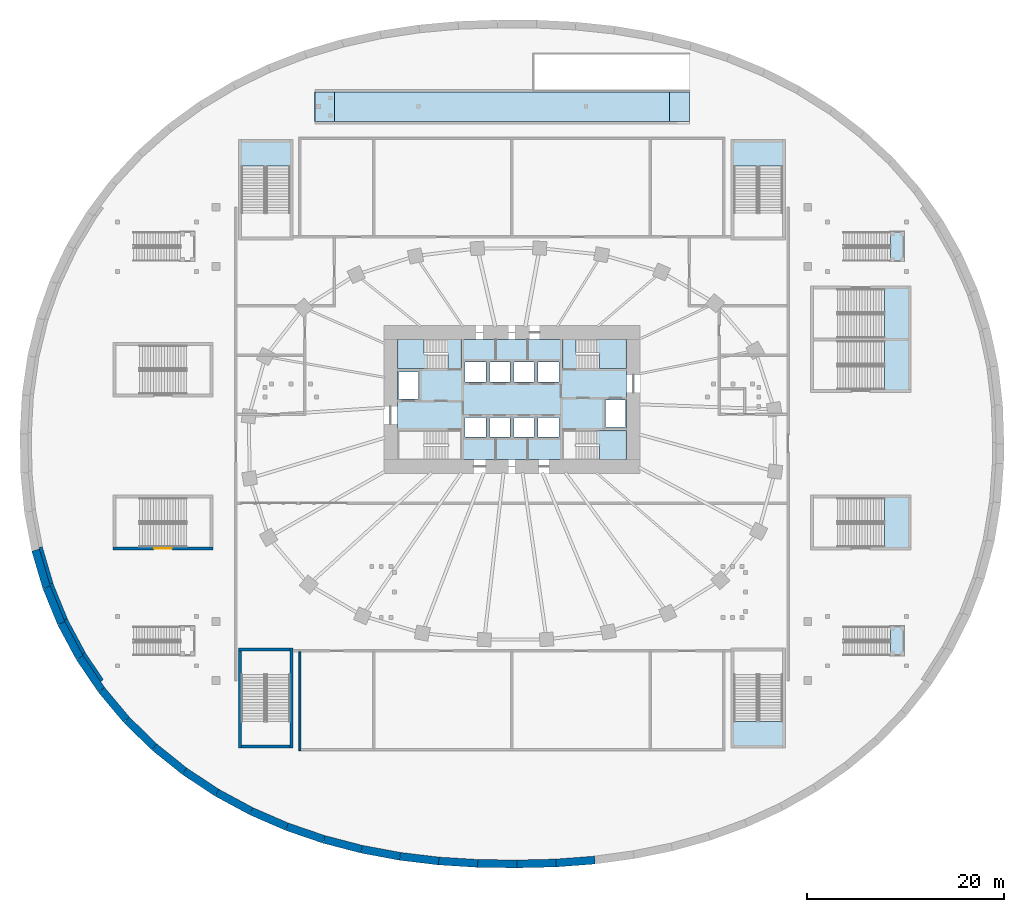
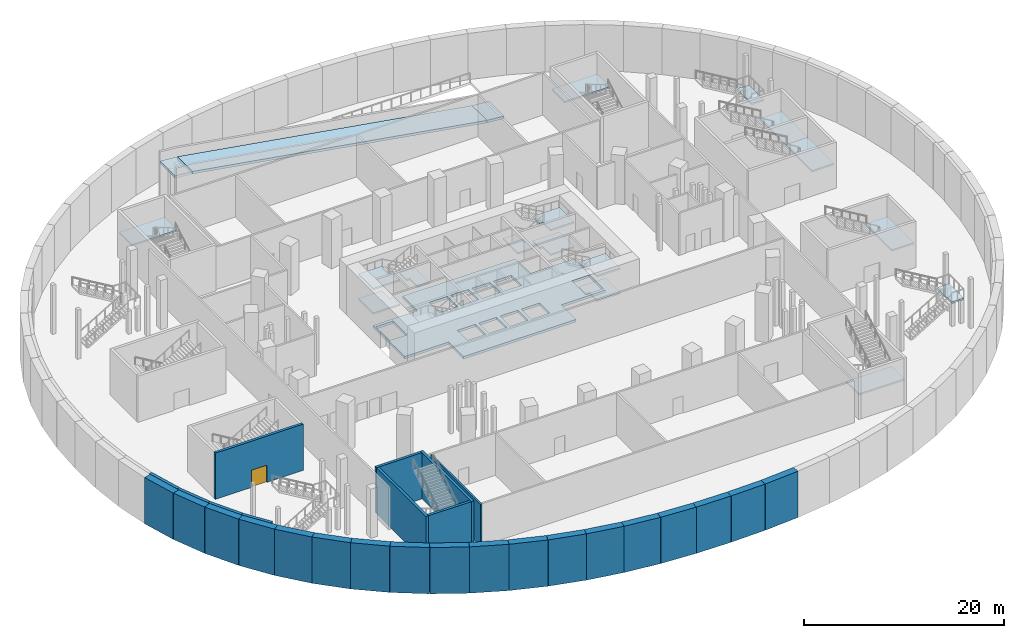
# One storey, part 3 of 19: 28 walls, 20 slabs, 1 door, 1 opening, 11 elements without a shape of their own.
"""IFC4 building model written with IfcOpenShell, lengths in metres."""

from ifc_helpers import new_model, si_unit, direction, frame, frame_2d, origin, place, context, subcontext, project, spatial, polyline, rectangle, outline, extrude, material, layer, layer_set, type_object, element, fill, aggregate, save


model = new_model("IFC4")

# Units and contexts
model_context = context("Model", 3, precision=1e-05, world=origin(), true_north=direction((0.0, 1.0)))
body_context = subcontext(model_context, "Body", "Model", "MODEL_VIEW")
ifc_project = project(units=[si_unit("LENGTHUNIT", "METRE"), si_unit("AREAUNIT", "SQUARE_METRE"), si_unit("VOLUMEUNIT", "CUBIC_METRE"), si_unit("PLANEANGLEUNIT", "RADIAN"), si_unit("MASSUNIT", "GRAM", prefix="KILO")], contexts=[model_context])

# Site, building, storey
site_placement = place(None, origin())
site = spatial("IfcSite", under=ifc_project, at=site_placement, CompositionType="ELEMENT")
building_placement = place(site_placement, origin())
building = spatial("IfcBuilding", under=site, at=building_placement, Name="Rubra Terraces Tower", CompositionType="ELEMENT")
storey_placement = place(building_placement, frame((0.0, 0.0, -6.0)))
storey = spatial("IfcBuildingStorey", under=building, at=storey_placement, Name="B1", CompositionType="ELEMENT", Elevation=-6.0)

# Slab
ifc_material_1 = material(Name="Concrete C40", Category="concrete")
ifc_layer_1 = layer(ifc_material_1, 0.300048828125)
ifc_layer_set_1 = layer_set([ifc_layer_1], Name="Concrete C40")
slab_type_1 = type_object("IfcSlabType", Name="Core floor slab 300 concrete", PredefinedType="FLOOR", material=ifc_layer_set_1)
slab_1_placement = place(storey_placement, frame((0.0, 0.0, -0.300048828125)))
element("IfcSlab", 1, at=slab_1_placement, inside=storey, type_object=slab_type_1, Name="CORE FLOOR SLAB B1", PredefinedType="FLOOR", context=body_context, shape_type="SweptSolid", body=[
    extrude(outline(polyline([(-11.60009765625, 1.347900390625), (-11.60009765625, 7.652099609375), (-6.501953125, 7.652099609375), (-6.501953125, 10.60009765625), (6.501953125, 10.60009765625), (6.501953125, 7.652099609375), (11.60009765625, 7.652099609375), (11.60009765625, 1.347900390625), (6.501953125, 1.347900390625), (6.501953125, -1.60009765625), (-6.501953125, -1.60009765625), (-6.501953125, 1.347900390625), (-11.60009765625, 1.347900390625)]), holes=[polyline([(9.5, 1.699951171875), (11.5, 1.699951171875), (11.5, 4.449951171875), (9.5, 4.449951171875), (9.5, 1.699951171875)]), polyline([(4.75, 0.699951171875), (4.75, 2.699951171875), (2.64990234375, 2.699951171875), (2.64990234375, 0.699951171875), (4.75, 0.699951171875)]), polyline([(4.75, 6.300048828125), (4.75, 8.300048828125), (2.64990234375, 8.300048828125), (2.64990234375, 6.300048828125), (4.75, 6.300048828125)]), polyline([(2.25, 0.699951171875), (2.25, 2.699951171875), (0.199951171875, 2.699951171875), (0.199951171875, 0.699951171875), (2.25, 0.699951171875)]), polyline([(2.25, 6.300048828125), (2.25, 8.300048828125), (0.199951171875, 8.300048828125), (0.199951171875, 6.300048828125), (2.25, 6.300048828125)]), polyline([(-0.199951171875, 0.699951171875), (-0.199951171875, 2.699951171875), (-2.25, 2.699951171875), (-2.25, 0.699951171875), (-0.199951171875, 0.699951171875)]), polyline([(-0.199951171875, 6.300048828125), (-0.199951171875, 8.300048828125), (-2.25, 8.300048828125), (-2.25, 6.300048828125), (-0.199951171875, 6.300048828125)]), polyline([(-2.64990234375, 0.699951171875), (-2.64990234375, 2.699951171875), (-4.75, 2.699951171875), (-4.75, 0.699951171875), (-2.64990234375, 0.699951171875)]), polyline([(-2.64990234375, 8.300048828125), (-4.75, 8.300048828125), (-4.75, 6.300048828125), (-2.64990234375, 6.300048828125), (-2.64990234375, 8.300048828125)]), polyline([(-9.5, 7.300048828125), (-11.5, 7.300048828125), (-11.5, 4.550048828125), (-9.5, 4.550048828125), (-9.5, 7.300048828125)])]), origin(), (0.0, 0.0, 1.0), 0.300048828125),
])

# Stair, slabs
stair_type_1 = type_object("IfcStairType", Name="Core stair 1400", PredefinedType="HALF_TURN_STAIR", material=ifc_material_1)
stair_1_placement = place(storey_placement, origin())
stair_1 = element("IfcStair", 2, at=stair_1_placement, inside=storey, type_object=stair_type_1, Name="B1 Exit stair S2", PredefinedType="HALF_TURN_STAIR")
ifc_layer_2 = layer(ifc_material_1, 0.199951171875)
ifc_layer_set_2 = layer_set([ifc_layer_2], Name="Concrete C40")
slab_type_2 = type_object("IfcSlabType", Name="Core stair landing 200", PredefinedType="LANDING", material=ifc_layer_set_2)
slab_2_placement = place(storey_placement, frame((0.0, 0.0, 1.300048828125)))
slab_2 = element("IfcSlab", 3, at=slab_2_placement, type_object=slab_type_2, Name="S2 landing 1", PredefinedType="LANDING", context=body_context, shape_type="SweptSolid", body=[
    extrude(outline(polyline([(-8.52001953125, 9.050048828125), (-8.52001953125, 7.64990234375), (-8.919921875, 7.64990234375), (-11.60009765625, 7.64990234375), (-11.60009765625, 10.60009765625), (-8.919921875, 10.60009765625), (-8.89990234375, 10.60009765625), (-8.89794921875, 10.60009765625), (-8.89794921875, 9.199951171875), (-8.89990234375, 9.199951171875), (-8.89990234375, 9.050048828125), (-8.52001953125, 9.050048828125)])), origin(), (0.0, 0.0, 1.0), 0.199951171875),
])
slab_3_placement = place(storey_placement, frame((0.0, 0.0, 2.800048828125)))
slab_3 = element("IfcSlab", 4, at=slab_3_placement, type_object=slab_type_2, Name="S2 landing 2", PredefinedType="LANDING", context=body_context, shape_type="SweptSolid", body=[
    extrude(outline(polyline([(-6.5, 9.050048828125), (-6.5, 9.199951171875), (-6.8798828125, 9.199951171875), (-6.8798828125, 10.60009765625), (-6.5, 10.60009765625), (-6.47998046875, 10.60009765625), (-5.10009765625, 10.60009765625), (-5.10009765625, 7.64990234375), (-6.47998046875, 7.64990234375), (-6.501953125, 7.64990234375), (-6.501953125, 9.050048828125), (-6.5, 9.050048828125)])), origin(), (0.0, 0.0, 1.0), 0.199951171875),
])
slab_4_placement = place(storey_placement, frame((0.0, 0.0, 4.300048828125)))
slab_4 = element("IfcSlab", 5, at=slab_4_placement, type_object=slab_type_2, Name="S2 landing 3", PredefinedType="LANDING", context=body_context, shape_type="SweptSolid", body=[
    extrude(outline(polyline([(-8.52001953125, 9.050048828125), (-8.52001953125, 7.64990234375), (-8.919921875, 7.64990234375), (-11.60009765625, 7.64990234375), (-11.60009765625, 10.60009765625), (-8.919921875, 10.60009765625), (-8.89990234375, 10.60009765625), (-8.89794921875, 10.60009765625), (-8.89794921875, 9.199951171875), (-8.89990234375, 9.199951171875), (-8.89990234375, 9.050048828125), (-8.52001953125, 9.050048828125)])), origin(), (0.0, 0.0, 1.0), 0.199951171875),
])
aggregate(stair_1, [slab_2, slab_3, slab_4])

stair_2_placement = place(storey_placement, origin())
stair_2 = element("IfcStair", 6, at=stair_2_placement, inside=storey, type_object=stair_type_1, Name="B1 Exit stair S3", PredefinedType="HALF_TURN_STAIR")
slab_5_placement = place(storey_placement, frame((0.0, 0.0, 1.300048828125)))
slab_5 = element("IfcSlab", 7, at=slab_5_placement, type_object=slab_type_2, Name="S3 landing 1", PredefinedType="LANDING", context=body_context, shape_type="SweptSolid", body=[
    extrude(outline(polyline([(8.89990234375, 9.050048828125), (8.89990234375, 9.199951171875), (8.52001953125, 9.199951171875), (8.52001953125, 10.60009765625), (8.89990234375, 10.60009765625), (8.919921875, 10.60009765625), (11.60009765625, 10.60009765625), (11.60009765625, 7.64990234375), (8.919921875, 7.64990234375), (8.89794921875, 7.64990234375), (8.89794921875, 9.050048828125), (8.89990234375, 9.050048828125)])), origin(), (0.0, 0.0, 1.0), 0.199951171875),
])
slab_6_placement = place(storey_placement, frame((0.0, 0.0, 2.800048828125)))
slab_6 = element("IfcSlab", 8, at=slab_6_placement, type_object=slab_type_2, Name="S3 landing 2", PredefinedType="LANDING", context=body_context, shape_type="SweptSolid", body=[
    extrude(outline(polyline([(6.8798828125, 9.050048828125), (6.8798828125, 7.64990234375), (6.47998046875, 7.64990234375), (5.10009765625, 7.64990234375), (5.10009765625, 10.60009765625), (6.47998046875, 10.60009765625), (6.5, 10.60009765625), (6.501953125, 10.60009765625), (6.501953125, 9.199951171875), (6.5, 9.199951171875), (6.5, 9.050048828125), (6.8798828125, 9.050048828125)])), origin(), (0.0, 0.0, 1.0), 0.199951171875),
])
slab_7_placement = place(storey_placement, frame((0.0, 0.0, 4.300048828125)))
slab_7 = element("IfcSlab", 9, at=slab_7_placement, type_object=slab_type_2, Name="S3 landing 3", PredefinedType="LANDING", context=body_context, shape_type="SweptSolid", body=[
    extrude(outline(polyline([(8.89990234375, 9.050048828125), (8.89990234375, 9.199951171875), (8.52001953125, 9.199951171875), (8.52001953125, 10.60009765625), (8.89990234375, 10.60009765625), (8.919921875, 10.60009765625), (11.60009765625, 10.60009765625), (11.60009765625, 7.64990234375), (8.919921875, 7.64990234375), (8.89794921875, 7.64990234375), (8.89794921875, 9.050048828125), (8.89990234375, 9.050048828125)])), origin(), (0.0, 0.0, 1.0), 0.199951171875),
])
aggregate(stair_2, [slab_5, slab_6, slab_7])

stair_3_placement = place(storey_placement, origin())
stair_3 = element("IfcStair", 10, at=stair_3_placement, inside=storey, type_object=stair_type_1, Name="B1 Exit stair S4", PredefinedType="HALF_TURN_STAIR")
slab_8_placement = place(storey_placement, frame((0.0, 0.0, 1.300048828125)))
slab_8 = element("IfcSlab", 11, at=slab_8_placement, type_object=slab_type_2, Name="S4 landing 1", PredefinedType="LANDING", context=body_context, shape_type="SweptSolid", body=[
    extrude(outline(polyline([(8.89990234375, -0.199951171875), (8.89990234375, -0.050048828125), (8.52001953125, -0.050048828125), (8.52001953125, 1.35009765625), (8.89990234375, 1.35009765625), (8.919921875, 1.35009765625), (11.60009765625, 1.35009765625), (11.60009765625, -1.60009765625), (8.919921875, -1.60009765625), (8.89990234375, -1.60009765625), (8.89794921875, -1.60009765625), (8.89794921875, -0.199951171875), (8.89990234375, -0.199951171875)])), origin(), (0.0, 0.0, 1.0), 0.199951171875),
])
slab_9_placement = place(storey_placement, frame((0.0, 0.0, 4.300048828125)))
slab_9 = element("IfcSlab", 12, at=slab_9_placement, type_object=slab_type_2, Name="S4 landing 3", PredefinedType="LANDING", context=body_context, shape_type="SweptSolid", body=[
    extrude(outline(polyline([(8.89990234375, -0.199951171875), (8.89990234375, -0.050048828125), (8.52001953125, -0.050048828125), (8.52001953125, 1.35009765625), (8.89990234375, 1.35009765625), (8.919921875, 1.35009765625), (11.60009765625, 1.35009765625), (11.60009765625, -1.60009765625), (8.919921875, -1.60009765625), (8.89990234375, -1.60009765625), (8.89794921875, -1.60009765625), (8.89794921875, -0.199951171875), (8.89990234375, -0.199951171875)])), origin(), (0.0, 0.0, 1.0), 0.199951171875),
])
aggregate(stair_3, [slab_8, slab_9])

# Stair, slab
ifc_material_2 = material(Name="Concrete C40/50", Category="concrete")
stair_type_2 = type_object("IfcStairType", Name="Exit stair", PredefinedType="HALF_TURN_STAIR", material=ifc_material_2)
stair_4_placement = place(storey_placement, origin())
stair_4 = element("IfcStair", 13, at=stair_4_placement, inside=storey, type_object=stair_type_2, Name="B1 exit stair SE1", PredefinedType="HALF_TURN_STAIR")
ifc_layer_3 = layer(ifc_material_2, 0.199951171875)
ifc_layer_set_3 = layer_set([ifc_layer_3], Name="Concrete C40/50")
slab_type_3 = type_object("IfcSlabType", Name="Exit stair landing 200", PredefinedType="LANDING", material=ifc_layer_set_3)
slab_10_placement = place(storey_placement, frame((0.0, 0.0, 2.800048828125)))
slab_10 = element("IfcSlab", 14, at=slab_10_placement, type_object=slab_type_3, Name="SE1 landing 1", PredefinedType="LANDING", context=body_context, shape_type="SweptSolid", body=[
    extrude(outline(polyline([(37.760009765625, 5.35009765625), (40.31005859375, 5.35009765625), (40.31005859375, 10.60009765625), (37.760009765625, 10.60009765625), (37.760009765625, 5.35009765625)])), origin(), (0.0, 0.0, 1.0), 0.199951171875),
])
aggregate(stair_4, [slab_10])

stair_5_placement = place(storey_placement, origin())
stair_5 = element("IfcStair", 15, at=stair_5_placement, inside=storey, type_object=stair_type_2, Name="B1 exit stair SE2", PredefinedType="HALF_TURN_STAIR")
slab_11_placement = place(storey_placement, frame((0.0, 0.0, 2.800048828125)))
slab_11 = element("IfcSlab", 16, at=slab_11_placement, type_object=slab_type_3, Name="SE2 landing 1", PredefinedType="LANDING", context=body_context, shape_type="SweptSolid", body=[
    extrude(outline(polyline([(37.760009765625, -10.60009765625), (40.31005859375, -10.60009765625), (40.31005859375, -5.35009765625), (37.760009765625, -5.35009765625), (37.760009765625, -10.60009765625)])), origin(), (0.0, 0.0, 1.0), 0.199951171875),
])
aggregate(stair_5, [slab_11])

stair_6_placement = place(storey_placement, origin())
stair_6 = element("IfcStair", 17, at=stair_6_placement, inside=storey, type_object=stair_type_2, Name="B1 exit stair SE5", PredefinedType="HALF_TURN_STAIR")
slab_12_placement = place(storey_placement, frame((0.0, 0.0, 2.800048828125)))
slab_12 = element("IfcSlab", 18, at=slab_12_placement, type_object=slab_type_3, Name="SE5 landing 1", PredefinedType="LANDING", context=body_context, shape_type="SweptSolid", body=[
    extrude(outline(polyline([(-27.60009765625, 28.159912109375), (-22.35009765625, 28.159912109375), (-22.35009765625, 30.7099609375), (-27.60009765625, 30.7099609375), (-27.60009765625, 28.159912109375)])), origin(), (0.0, 0.0, 1.0), 0.199951171875),
])
aggregate(stair_6, [slab_12])

stair_7_placement = place(storey_placement, origin())
stair_7 = element("IfcStair", 19, at=stair_7_placement, inside=storey, type_object=stair_type_2, Name="B1 exit stair SE6", PredefinedType="HALF_TURN_STAIR")
slab_13_placement = place(storey_placement, frame((0.0, 0.0, 2.800048828125)))
slab_13 = element("IfcSlab", 20, at=slab_13_placement, type_object=slab_type_3, Name="SE6 landing 1", PredefinedType="LANDING", context=body_context, shape_type="SweptSolid", body=[
    extrude(outline(polyline([(22.35009765625, 28.159912109375), (27.60009765625, 28.159912109375), (27.60009765625, 30.7099609375), (22.35009765625, 30.7099609375), (22.35009765625, 28.159912109375)])), origin(), (0.0, 0.0, 1.0), 0.199951171875),
])
aggregate(stair_7, [slab_13])

stair_8_placement = place(storey_placement, origin())
stair_8 = element("IfcStair", 21, at=stair_8_placement, inside=storey, type_object=stair_type_2, Name="B1 exit stair SE7", PredefinedType="HALF_TURN_STAIR")
slab_14_placement = place(storey_placement, frame((0.0, 0.0, 2.800048828125)))
slab_14 = element("IfcSlab", 22, at=slab_14_placement, type_object=slab_type_3, Name="SE7 landing 1", PredefinedType="LANDING", context=body_context, shape_type="SweptSolid", body=[
    extrude(outline(polyline([(22.35009765625, -30.7099609375), (27.60009765625, -30.7099609375), (27.60009765625, -28.159912109375), (22.35009765625, -28.159912109375), (22.35009765625, -30.7099609375)])), origin(), (0.0, 0.0, 1.0), 0.199951171875),
])
aggregate(stair_8, [slab_14])

stair_9_placement = place(storey_placement, origin())
stair_9 = element("IfcStair", 23, at=stair_9_placement, inside=storey, type_object=stair_type_2, Name="B1 exit stair SE9", PredefinedType="HALF_TURN_STAIR")
slab_15_placement = place(storey_placement, frame((0.0, 0.0, 2.800048828125)))
slab_15 = element("IfcSlab", 24, at=slab_15_placement, type_object=slab_type_3, Name="SE9 landing 1", PredefinedType="LANDING", context=body_context, shape_type="SweptSolid", body=[
    extrude(outline(polyline([(37.760009765625, 10.60009765625), (40.31005859375, 10.60009765625), (40.31005859375, 15.85009765625), (37.760009765625, 15.85009765625), (37.760009765625, 10.60009765625)])), origin(), (0.0, 0.0, 1.0), 0.199951171875),
])
aggregate(stair_9, [slab_15])

ifc_material_3 = material(Name="Concrete C35/45", Category="concrete")
stair_type_3 = type_object("IfcStairType", Name="Station stair", PredefinedType="HALF_TURN_STAIR", material=ifc_material_3)
stair_10_placement = place(storey_placement, origin())
stair_10 = element("IfcStair", 25, at=stair_10_placement, inside=storey, type_object=stair_type_3, Name="B1 SP1-S", PredefinedType="HALF_TURN_STAIR")
ifc_layer_4 = layer(ifc_material_3, 0.199951171875)
ifc_layer_set_4 = layer_set([ifc_layer_4], Name="Concrete C35/45")
slab_type_4 = type_object("IfcSlabType", Name="Station stair landing 200", PredefinedType="LANDING", material=ifc_layer_set_4)
slab_16_placement = place(storey_placement, frame((0.0, 0.0, 2.800048828125)))
slab_16 = element("IfcSlab", 26, at=slab_16_placement, type_object=slab_type_4, Name="SP1-S landing 1", PredefinedType="LANDING", context=body_context, shape_type="SweptSolid", body=[
    extrude(outline(polyline([(38.3798828125, 18.52490234375), (39.780029296875, 18.52490234375), (39.780029296875, 21.47509765625), (38.3798828125, 21.47509765625), (38.3798828125, 18.52490234375)])), origin(), (0.0, 0.0, 1.0), 0.199951171875),
])
aggregate(stair_10, [slab_16])

stair_11_placement = place(storey_placement, origin())
stair_11 = element("IfcStair", 27, at=stair_11_placement, inside=storey, type_object=stair_type_3, Name="B1 SP4-S", PredefinedType="HALF_TURN_STAIR")
slab_17_placement = place(storey_placement, frame((0.0, 0.0, 2.800048828125)))
slab_17 = element("IfcSlab", 28, at=slab_17_placement, type_object=slab_type_4, Name="SP4-S landing 1", PredefinedType="LANDING", context=body_context, shape_type="SweptSolid", body=[
    extrude(outline(polyline([(38.3798828125, -21.47509765625), (39.780029296875, -21.47509765625), (39.780029296875, -18.52490234375), (38.3798828125, -18.52490234375), (38.3798828125, -21.47509765625)])), origin(), (0.0, 0.0, 1.0), 0.199951171875),
])
aggregate(stair_11, [slab_17])

# Slabs
ifc_layer_5 = layer(ifc_material_2, 0.300048828125)
ifc_layer_set_5 = layer_set([ifc_layer_5], Name="Concrete C40/50")
slab_type_5 = type_object("IfcSlabType", Name="Vehicle ramp slab 300", PredefinedType="FLOOR", material=ifc_layer_set_5)
slab_18_placement = place(storey_placement, frame((18.0, 35.699951171875, 0.0), z_axis=(0.083206556192, 0.0, 0.996532322108), x_axis=(-0.996532322108, 0.0, 0.083206556192)))
element("IfcSlab", 29, at=slab_18_placement, inside=storey, type_object=slab_type_5, Name="Vehicle ramp B1 to L00", PredefinedType="FLOOR", context=body_context, shape_type="SweptSolid", body=[
    extrude(outline(polyline([(0.0, 0.0), (2.0069594890495512, 0.0), (2.0069594890495512, 3.0), (0.0, 3.0), (0.0, 0.0)])), origin(), (0.0, 0.0, -1.0), 0.300048828125),
])
slab_19_placement = place(storey_placement, frame((16.0, 35.699951171875, 0.1669921875), z_axis=(0.164380609948, 0.0, 0.986396986549), x_axis=(-0.986396986549, 0.0, 0.164380609948)))
element("IfcSlab", 30, at=slab_19_placement, inside=storey, type_object=slab_type_5, Name="Vehicle ramp B1 to L00", PredefinedType="FLOOR", context=body_context, shape_type="SweptSolid", body=[
    extrude(outline(polyline([(0.0, 0.0), (34.46888064708142, 0.0), (34.46888064708142, 3.0), (0.0, 3.0), (0.0, 0.0)])), origin(), (0.0, 0.0, -1.0), 0.300048828125),
])
slab_20_placement = place(storey_placement, frame((-18.0, 35.699951171875, 5.8330078125), z_axis=(0.083206556192, 0.0, 0.996532322108), x_axis=(-0.996532322108, 0.0, 0.083206556192)))
element("IfcSlab", 31, at=slab_20_placement, inside=storey, type_object=slab_type_5, Name="Vehicle ramp B1 to L00", PredefinedType="FLOOR", context=body_context, shape_type="SweptSolid", body=[
    extrude(outline(polyline([(0.0, 0.0), (2.0069594890495512, 0.0), (2.0069594890495512, 3.0), (0.0, 3.0), (0.0, 0.0)])), origin(), (0.0, 0.0, -1.0), 0.300048828125),
])

# Walls
ifc_layer_6 = layer(ifc_material_1, 0.800048828125)
ifc_layer_set_6 = layer_set([ifc_layer_6], Name="Concrete C40")
wall_type_1 = type_object("IfcWallType", Name="BASEMENT WALL 800", PredefinedType="SOLIDWALL", material=ifc_layer_set_6)
wall_1_placement = place(storey_placement, frame((8.4130859375, -42.205078125, 0.0), z_axis=(0.0, 0.0, 1.0), x_axis=(-0.997152243414, -0.075414875552, 0.0)))
element("IfcWall", 32, at=wall_1_placement, inside=storey, type_object=wall_type_1, Name="wall-B1-basement-018", PredefinedType="SOLIDWALL", context=body_context, shape_type="SweptSolid", body=[
    extrude(rectangle(XDim=3.96240234375, YDim=0.800048828125, at=frame_2d((1.981201171875, 0.0))), origin(), (0.0, 0.0, 1.0), 5.64990234375),
])
wall_2_placement = place(storey_placement, frame((4.4619140625, -42.50390625, 0.0), z_axis=(0.0, 0.0, 1.0), x_axis=(-0.999711911745, -0.02400194814, 0.0)))
element("IfcWall", 33, at=wall_2_placement, inside=storey, type_object=wall_type_1, Name="wall-B1-basement-019", PredefinedType="SOLIDWALL", context=body_context, shape_type="SweptSolid", body=[
    extrude(rectangle(XDim=3.967041015625, YDim=0.800048828125, at=frame_2d((1.9833984375, 0.0))), origin(), (0.0, 0.0, 1.0), 5.64990234375),
])
wall_3_placement = place(storey_placement, frame((0.49609375, -42.59912109375, 0.0), z_axis=(0.0, 0.0, 1.0), x_axis=(-0.999906682761, 0.013661104288, 0.0)))
element("IfcWall", 34, at=wall_3_placement, inside=storey, type_object=wall_type_1, Name="wall-B1-basement-020", PredefinedType="SOLIDWALL", context=body_context, shape_type="SweptSolid", body=[
    extrude(rectangle(XDim=3.967529296875, YDim=0.800048828125, at=frame_2d((1.98388671875, 0.0))), origin(), (0.0, 0.0, 1.0), 5.64990234375),
])
wall_4_placement = place(storey_placement, frame((-3.470947265625, -42.544921875, 0.0), z_axis=(0.0, 0.0, 1.0), x_axis=(-0.998104950185, 0.06153461153, 0.0)))
element("IfcWall", 35, at=wall_4_placement, inside=storey, type_object=wall_type_1, Name="wall-B1-basement-021", PredefinedType="SOLIDWALL", context=body_context, shape_type="SweptSolid", body=[
    extrude(rectangle(XDim=3.963623046875, YDim=0.800048828125, at=frame_2d((1.98193359375, 0.0))), origin(), (0.0, 0.0, 1.0), 5.64990234375),
])
wall_5_placement = place(storey_placement, frame((-7.427001953125, -42.301025390625, 0.0), z_axis=(0.0, 0.0, 1.0), x_axis=(-0.992804589286, 0.119745761903, 0.0)))
element("IfcWall", 36, at=wall_5_placement, inside=storey, type_object=wall_type_1, Name="wall-B1-basement-022", PredefinedType="SOLIDWALL", context=body_context, shape_type="SweptSolid", body=[
    extrude(rectangle(XDim=3.95947265625, YDim=0.800048828125, at=frame_2d((1.979736328125, 0.0))), origin(), (0.0, 0.0, 1.0), 5.64990234375),
])
wall_6_placement = place(storey_placement, frame((-11.35791015625, -41.826904296875, 0.0), z_axis=(0.0, 0.0, 1.0), x_axis=(-0.983043530822, 0.183372343904, 0.0)))
element("IfcWall", 37, at=wall_6_placement, inside=storey, type_object=wall_type_1, Name="wall-B1-basement-023", PredefinedType="SOLIDWALL", context=body_context, shape_type="SweptSolid", body=[
    extrude(rectangle(XDim=3.958251953125, YDim=0.800048828125, at=frame_2d((1.97900390625, 0.0))), origin(), (0.0, 0.0, 1.0), 5.64990234375),
])
wall_7_placement = place(storey_placement, frame((-15.2490234375, -41.10107421875, 0.0), z_axis=(0.0, 0.0, 1.0), x_axis=(-0.96775481132, 0.251894075291, 0.0)))
element("IfcWall", 38, at=wall_7_placement, inside=storey, type_object=wall_type_1, Name="wall-B1-basement-024", PredefinedType="SOLIDWALL", context=body_context, shape_type="SweptSolid", body=[
    extrude(rectangle(XDim=3.954345703125, YDim=0.800048828125, at=frame_2d((1.97705078125, 0.0))), origin(), (0.0, 0.0, 1.0), 5.64990234375),
])
wall_8_placement = place(storey_placement, frame((-19.075927734375, -40.10498046875, 0.0), z_axis=(0.0, 0.0, 1.0), x_axis=(-0.946019018059, 0.324111119018, 0.0)))
element("IfcWall", 39, at=wall_8_placement, inside=storey, type_object=wall_type_1, Name="wall-B1-basement-025", PredefinedType="SOLIDWALL", context=body_context, shape_type="SweptSolid", body=[
    extrude(rectangle(XDim=3.952392578125, YDim=0.800048828125, at=frame_2d((1.97607421875, 0.0))), origin(), (0.0, 0.0, 1.0), 5.64990234375),
])
wall_9_placement = place(storey_placement, frame((-22.81494140625, -38.823974609375, 0.0), z_axis=(0.0, 0.0, 1.0), x_axis=(-0.917135856033, 0.398574737757, 0.0)))
element("IfcWall", 40, at=wall_9_placement, inside=storey, type_object=wall_type_1, Name="wall-B1-basement-026", PredefinedType="SOLIDWALL", context=body_context, shape_type="SweptSolid", body=[
    extrude(rectangle(XDim=3.951416015625, YDim=0.800048828125, at=frame_2d((1.9755859375, 0.0))), origin(), (0.0, 0.0, 1.0), 5.64990234375),
])
wall_10_placement = place(storey_placement, frame((-26.43896484375, -37.2490234375, 0.0), z_axis=(0.0, 0.0, 1.0), x_axis=(-0.879966388583, 0.475035951234, 0.0)))
element("IfcWall", 41, at=wall_10_placement, inside=storey, type_object=wall_type_1, Name="wall-B1-basement-027", PredefinedType="SOLIDWALL", context=body_context, shape_type="SweptSolid", body=[
    extrude(rectangle(XDim=3.94921875, YDim=0.800048828125, at=frame_2d((1.974609375, 0.0))), origin(), (0.0, 0.0, 1.0), 5.64990234375),
])
wall_11_placement = place(storey_placement, frame((-29.9140625, -35.373046875, 0.0), z_axis=(0.0, 0.0, 1.0), x_axis=(-0.834298741372, 0.551312624692, 0.0)))
element("IfcWall", 42, at=wall_11_placement, inside=storey, type_object=wall_type_1, Name="wall-B1-basement-028", PredefinedType="SOLIDWALL", context=body_context, shape_type="SweptSolid", body=[
    extrude(rectangle(XDim=3.947021484375, YDim=0.800048828125, at=frame_2d((1.9736328125, 0.0))), origin(), (0.0, 0.0, 1.0), 5.64990234375),
])
wall_12_placement = place(storey_placement, frame((-33.20703125, -33.197021484375, 0.0), z_axis=(0.0, 0.0, 1.0), x_axis=(-0.779266654886, 0.626692492841, 0.0)))
element("IfcWall", 43, at=wall_12_placement, inside=storey, type_object=wall_type_1, Name="wall-B1-basement-029", PredefinedType="SOLIDWALL", context=body_context, shape_type="SweptSolid", body=[
    extrude(rectangle(XDim=3.946044921875, YDim=0.800048828125, at=frame_2d((1.97314453125, 0.0))), origin(), (0.0, 0.0, 1.0), 5.64990234375),
])
wall_13_placement = place(storey_placement, frame((-36.281982421875, -30.72412109375, 0.0), z_axis=(0.0, 0.0, 1.0), x_axis=(-0.714802407758, 0.699326474447, 0.0)))
element("IfcWall", 44, at=wall_13_placement, inside=storey, type_object=wall_type_1, Name="wall-B1-basement-030", PredefinedType="SOLIDWALL", context=body_context, shape_type="SweptSolid", body=[
    extrude(rectangle(XDim=3.94384765625, YDim=0.800048828125, at=frame_2d((1.971923828125, 0.0))), origin(), (0.0, 0.0, 1.0), 5.64990234375),
])
wall_14_placement = place(storey_placement, frame((-39.10107421875, -27.966064453125, 0.0), z_axis=(0.0, 0.0, 1.0), x_axis=(-0.641663169407, 0.766986555962, 0.0)))
element("IfcWall", 45, at=wall_14_placement, inside=storey, type_object=wall_type_1, Name="wall-B1-basement-031", PredefinedType="SOLIDWALL", context=body_context, shape_type="SweptSolid", body=[
    extrude(rectangle(XDim=3.94287109375, YDim=0.800048828125, at=frame_2d((1.971435546875, 0.0))), origin(), (0.0, 0.0, 1.0), 5.64990234375),
])
wall_15_placement = place(storey_placement, frame((-41.631103515625, -24.94189453125, 0.0), z_axis=(0.0, 0.0, 1.0), x_axis=(-0.560375599992, 0.828238605073, 0.0)))
element("IfcWall", 46, at=wall_15_placement, inside=storey, type_object=wall_type_1, Name="wall-B1-basement-032", PredefinedType="SOLIDWALL", context=body_context, shape_type="SweptSolid", body=[
    extrude(rectangle(XDim=3.94189453125, YDim=0.800048828125, at=frame_2d((1.970947265625, 0.0))), origin(), (0.0, 0.0, 1.0), 5.64990234375),
])
wall_16_placement = place(storey_placement, frame((-43.840087890625, -21.677001953125, 0.0), z_axis=(0.0, 0.0, 1.0), x_axis=(-0.472252344844, 0.88146339844, 0.0)))
element("IfcWall", 47, at=wall_16_placement, inside=storey, type_object=wall_type_1, Name="wall-B1-basement-033", PredefinedType="SOLIDWALL", context=body_context, shape_type="SweptSolid", body=[
    extrude(rectangle(XDim=3.9423828125, YDim=0.800048828125, at=frame_2d((1.97119140625, 0.0))), origin(), (0.0, 0.0, 1.0), 5.64990234375),
])
wall_17_placement = place(storey_placement, frame((-45.701904296875, -18.201904296875, 0.0), z_axis=(0.0, 0.0, 1.0), x_axis=(-0.378936605843, 0.925422632505, 0.0)))
element("IfcWall", 48, at=wall_17_placement, inside=storey, type_object=wall_type_1, Name="wall-B1-basement-034", PredefinedType="SOLIDWALL", context=body_context, shape_type="SweptSolid", body=[
    extrude(rectangle(XDim=3.94287109375, YDim=0.800048828125, at=frame_2d((1.971435546875, 0.0))), origin(), (0.0, 0.0, 1.0), 5.64990234375),
])
wall_18_placement = place(storey_placement, frame((-47.196044921875, -14.552978515625, 0.0), z_axis=(0.0, 0.0, 1.0), x_axis=(-0.283306014668, 0.959029562659, 0.0)))
element("IfcWall", 49, at=wall_18_placement, inside=storey, type_object=wall_type_1, Name="wall-B1-basement-035", PredefinedType="SOLIDWALL", context=body_context, shape_type="SweptSolid", body=[
    extrude(rectangle(XDim=3.942626953125, YDim=0.800048828125, at=frame_2d((1.97119140625, 0.0))), origin(), (0.0, 0.0, 1.0), 5.64990234375),
])
ifc_layer_7 = layer(ifc_material_2, 0.35009765625)
ifc_layer_set_7 = layer_set([ifc_layer_7], Name="Concrete C40/50")
wall_type_2 = type_object("IfcWallType", Name="Retaining liner wall 350 concrete", PredefinedType="SOLIDWALL", material=ifc_layer_set_7)
wall_19_placement = place(storey_placement, frame((-41.573974609375, -24.0, 0.0), z_axis=(0.0, 0.0, 1.0), x_axis=(-0.560288715468, 0.828297383383, 0.0)))
element("IfcWall", 50, at=wall_19_placement, inside=storey, type_object=wall_type_2, Name="Retaining liner wall", PredefinedType="SOLIDWALL", context=body_context, shape_type="SweptSolid", body=[
    extrude(rectangle(XDim=3.339599609375, YDim=0.35009765625, at=frame_2d((1.669921875, 0.0))), origin(), (0.0, 0.0, 1.0), 5.64990234375),
])
wall_20_placement = place(storey_placement, frame((-43.429931640625, -21.22509765625, 0.0), z_axis=(0.0, 0.0, 1.0), x_axis=(-0.472362748677, 0.881404239644, 0.0)))
element("IfcWall", 51, at=wall_20_placement, inside=storey, type_object=wall_type_2, Name="Retaining liner wall", PredefinedType="SOLIDWALL", context=body_context, shape_type="SweptSolid", body=[
    extrude(rectangle(XDim=3.882568359375, YDim=0.35009765625, at=frame_2d((1.94140625, 0.0))), origin(), (0.0, 0.0, 1.0), 5.64990234375),
])
wall_21_placement = place(storey_placement, frame((-45.2470703125, -17.794921875, 0.0), z_axis=(0.0, 0.0, 1.0), x_axis=(-0.378909359121, 0.925433788864, 0.0)))
element("IfcWall", 52, at=wall_21_placement, inside=storey, type_object=wall_type_2, Name="Retaining liner wall", PredefinedType="SOLIDWALL", context=body_context, shape_type="SweptSolid", body=[
    extrude(rectangle(XDim=3.884521484375, YDim=0.35009765625, at=frame_2d((1.9423828125, 0.0))), origin(), (0.0, 0.0, 1.0), 5.64990234375),
])
wall_22_placement = place(storey_placement, frame((-46.702880859375, -14.194091796875, 0.0), z_axis=(0.0, 0.0, 1.0), x_axis=(-0.283159614096, 0.959072798564, 0.0)))
element("IfcWall", 53, at=wall_22_placement, inside=storey, type_object=wall_type_2, Name="Retaining liner wall", PredefinedType="SOLIDWALL", context=body_context, shape_type="SweptSolid", body=[
    extrude(rectangle(XDim=3.885009765625, YDim=0.35009765625, at=frame_2d((1.9423828125, 0.0))), origin(), (0.0, 0.0, 1.0), 5.64990234375),
])
ifc_material_4 = material(Name="Blockwork", Category="masonry")
ifc_layer_8 = layer(ifc_material_4, 0.199951171875)
ifc_layer_set_8 = layer_set([ifc_layer_8], Name="Blockwork")
wall_type_3 = type_object("IfcWallType", Name="Room partition 200 blockwork", PredefinedType="PARTITIONING", material=ifc_layer_set_8)
wall_23_placement = place(storey_placement, frame((-21.5, -31.10009765625, 0.0), z_axis=(0.0, 0.0, 1.0), x_axis=(0.0, 1.0, 0.0)))
element("IfcWall", 54, at=wall_23_placement, inside=storey, type_object=wall_type_3, Name="Partition wall", PredefinedType="PARTITIONING", context=body_context, shape_type="SweptSolid", body=[
    extrude(rectangle(XDim=10.0, YDim=0.199951171875, at=frame_2d((5.0, 0.0))), origin(), (0.0, 0.0, 1.0), 5.134033203125),
])
ifc_layer_9 = layer(ifc_material_2, 0.300048828125)
ifc_layer_set_9 = layer_set([ifc_layer_9], Name="Concrete C40/50")
wall_type_4 = type_object("IfcWallType", Name="Stair shaft wall 300 concrete", PredefinedType="SOLIDWALL", material=ifc_layer_set_9)
wall_24_placement = place(storey_placement, frame((-22.35009765625, -30.860107421875, 0.0), z_axis=(0.0, 0.0, 1.0), x_axis=(0.0, 1.0, 0.0)))
element("IfcWall", 55, at=wall_24_placement, inside=storey, type_object=wall_type_4, Name="Stair shaft wall", PredefinedType="SOLIDWALL", context=body_context, shape_type="SweptSolid", body=[
    extrude(rectangle(XDim=10.16015625, YDim=0.300048828125, at=frame_2d((5.080078125, 0.0))), origin(), (0.0, 0.0, 1.0), 5.64990234375),
])
wall_25_placement = place(storey_placement, frame((-22.5, -20.85009765625, 0.0), z_axis=(0.0, 0.0, 1.0), x_axis=(-1.0, 0.0, 0.0)))
element("IfcWall", 56, at=wall_25_placement, inside=storey, type_object=wall_type_4, Name="Stair shaft wall", PredefinedType="SOLIDWALL", context=body_context, shape_type="SweptSolid", body=[
    extrude(rectangle(XDim=5.25, YDim=0.300048828125, at=frame_2d((2.625, 0.0))), origin(), (0.0, 0.0, 1.0), 5.64990234375),
])
wall_26_placement = place(storey_placement, frame((-27.60009765625, -21.0, 0.0), z_axis=(0.0, 0.0, 1.0), x_axis=(0.0, -1.0, 0.0)))
element("IfcWall", 57, at=wall_26_placement, inside=storey, type_object=wall_type_4, Name="Stair shaft wall", PredefinedType="SOLIDWALL", context=body_context, shape_type="SweptSolid", body=[
    extrude(rectangle(XDim=9.860107421875, YDim=0.300048828125, at=frame_2d((4.93017578125, 0.0))), origin(), (0.0, 0.0, 1.0), 5.64990234375),
])

# Wall, opening, door
wall_27_placement = place(storey_placement, frame((-30.300048828125, -10.60009765625, 0.0), z_axis=(0.0, 0.0, 1.0), x_axis=(-1.0, 0.0, 0.0)))
wall_27 = element("IfcWall", 58, at=wall_27_placement, inside=storey, type_object=wall_type_4, Name="Stair shaft wall", PredefinedType="SOLIDWALL", context=body_context, shape_type="SweptSolid", body=[
    extrude(rectangle(XDim=10.159912109375, YDim=0.300048828125, at=frame_2d((5.080078125, 0.0))), origin(), (0.0, 0.0, 1.0), 5.64990234375),
])
opening_placement = place(wall_27_placement, frame((4.179931640625, 0.0, 0.0)))
opening = element("IfcOpeningElement", 59, at=opening_placement, cuts=wall_27, Name="Opening DB3", PredefinedType="OPENING", context=body_context, shape_type="SweptSolid", body=[
    extrude(rectangle(XDim=1.800048828125, YDim=2.10009765625, at=frame_2d((0.89990234375, 1.050048828125))), frame((0.0, 0.159912109375, 0.0), z_axis=(0.0, -1.0, 0.0), x_axis=(1.0, 0.0, 0.0)), (0.0, 0.0, 1.0), 0.320068359375),
])
ifc_material_5 = material(Name="Painted steel", Category="steel")
door_type = type_object("IfcDoorType", Name="Door 1800x2100 double", OperationType="NOTDEFINED", PredefinedType="DOOR", material=ifc_material_5)
door_placement = place(opening_placement, origin())
door = element("IfcDoor", 60, at=door_placement, inside=storey, type_object=door_type, Name="Stair door B1-19", OperationType="DOUBLE_DOOR_SINGLE_SWING", OverallHeight=2.10009765625, OverallWidth=1.800048828125, PredefinedType="DOOR", context=body_context, shape_type="SweptSolid", body=[
    extrude(rectangle(XDim=1.800048828125, YDim=2.10009765625, at=frame_2d((0.89990234375, 1.050048828125))), frame((0.0, 0.02490234375, 0.0), z_axis=(0.0, -1.0, 0.0), x_axis=(1.0, 0.0, 0.0)), (0.0, 0.0, 1.0), 0.050048828125),
])
fill(opening, door)

# Wall
wall_28_placement = place(storey_placement, frame((-22.5, -30.7099609375, 0.0), z_axis=(0.0, 0.0, 1.0), x_axis=(-1.0, 0.0, 0.0)))
element("IfcWall", 61, at=wall_28_placement, inside=storey, type_object=wall_type_4, Name="Stair shaft wall", PredefinedType="SOLIDWALL", context=body_context, shape_type="SweptSolid", body=[
    extrude(rectangle(XDim=4.949951171875, YDim=0.300048828125, at=frame_2d((2.47509765625, 0.0))), origin(), (0.0, 0.0, 1.0), 5.64990234375),
])

save(model, "model.ifc")
